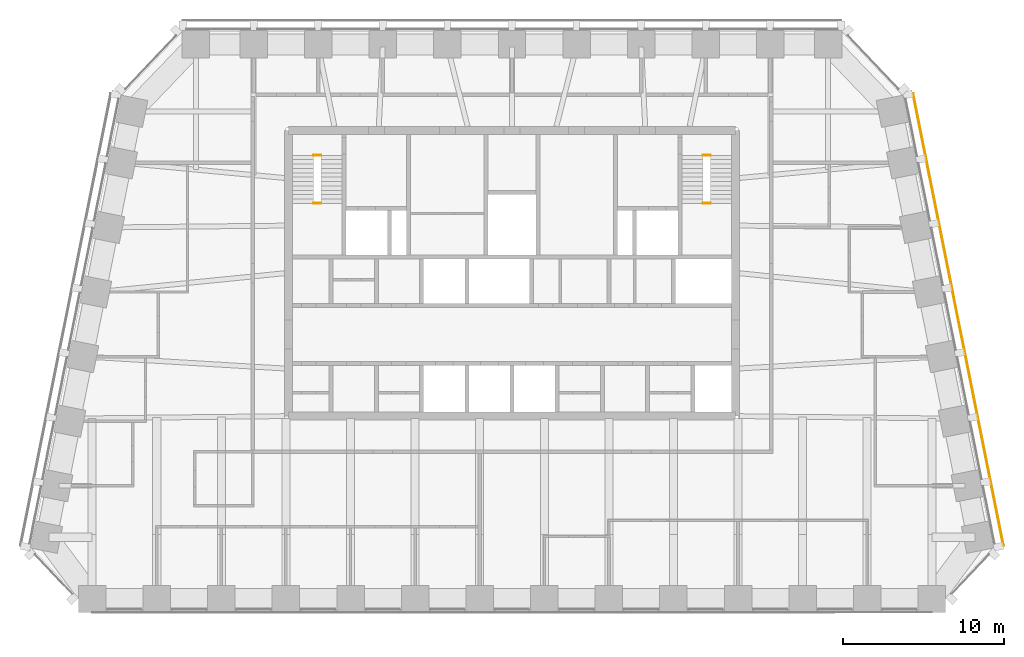
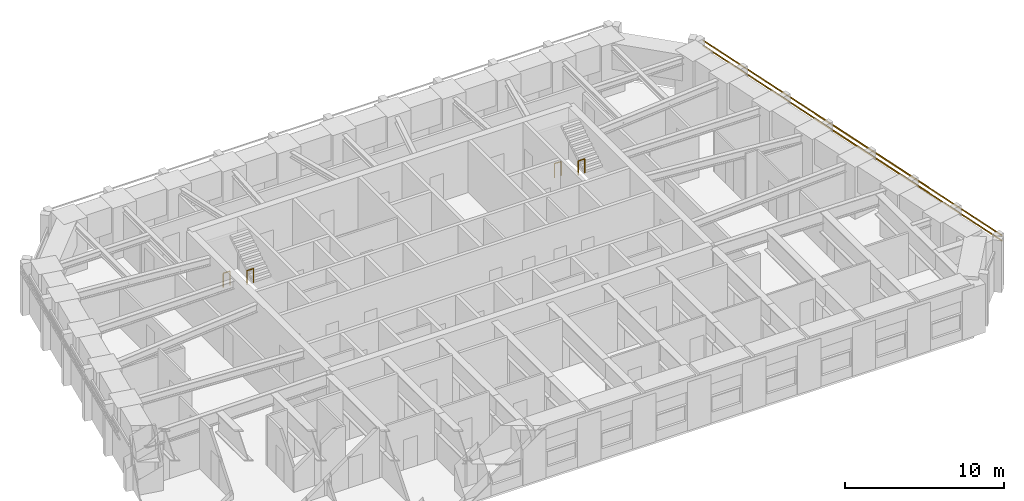
# One storey, part 11 of 12: 4 railings, 2 shading devices.
"""IFC4 building model written with IfcOpenShell, lengths in metres."""

from ifc_helpers import new_model, si_unit, direction, frame, origin, origin_2d, place, context, subcontext, project, spatial, rectangle, circle, extrude, material, material_profile, profile_set, type_object, element, save


model = new_model("IFC4")

# Units and contexts
model_context = context("Model", 3, precision=1e-05, world=origin(), true_north=direction((0.0, 1.0)))
body_context = subcontext(model_context, "Body", "Model", "MODEL_VIEW")
ifc_project = project(units=[si_unit("LENGTHUNIT", "METRE"), si_unit("AREAUNIT", "SQUARE_METRE"), si_unit("VOLUMEUNIT", "CUBIC_METRE"), si_unit("PLANEANGLEUNIT", "RADIAN"), si_unit("MASSUNIT", "GRAM", prefix="KILO")], contexts=[model_context])

# Site, building, storey
site_placement = place(None, origin())
site = spatial("IfcSite", under=ifc_project, at=site_placement, CompositionType="ELEMENT")
building_placement = place(site_placement, origin())
building = spatial("IfcBuilding", under=site, at=building_placement, Name="Isbrekke Arena Tower", CompositionType="ELEMENT")
storey_placement = place(building_placement, frame((0.0, 0.0, 292.0)))
storey = spatial("IfcBuildingStorey", under=building, at=storey_placement, Name="L68", CompositionType="ELEMENT", Elevation=292.0)

# Shading devices
ifc_material_1 = material(Name="Terracotta", Category="masonry")
ifc_material_profile = material_profile(ifc_material_1, rectangle(XDim=0.06005859375, YDim=0.06005859375, at=origin_2d()), Name="BAGUETTE 60X60")
ifc_profile_set = profile_set([ifc_material_profile], Name="Terracotta")
shading_device_type = type_object("IfcShadingDeviceType", Name="BG1 TERRACOTTA BAGUETTE 60 x 60", PredefinedType="USERDEFINED", material=ifc_profile_set)
for number, where, z_axis, x_axis, name in (
    (1, (30.4423828125, -1.87158203125, 3.280029296875), (-0.196119423591, 0.980580017995, 0.0), (-0.980580017995, -0.196119423591, 0.0), "BG1 terracotta baguette E1 L68"),
    (2, (30.4423828125, -1.87158203125, 3.679931640625), (-0.196119423591, 0.980580017995, 0.0), (-0.980580017995, -0.196119423591, 0.0), "BG1 terracotta baguette E2 L68"),
):
    element("IfcShadingDevice", number, at=place(storey_placement, frame(where, z_axis=z_axis, x_axis=x_axis)), inside=storey, type_object=shading_device_type, Name=name, ObjectType="TERRACOTTA BAGUETTE", PredefinedType="USERDEFINED", context=body_context, shape_type="SweptSolid", body=[
        extrude(rectangle(XDim=0.06005859375, YDim=0.06005859375, at=origin_2d()), origin(), (0.0, 0.0, 1.0), 28.554443359375),
    ])

# Railings
ifc_material_2 = material(Name="Steel stair guard, vertical bars, steel handrail", Category="steel")
railing_type = type_object("IfcRailingType", Name="GR3 STAIR WELL GUARD 1100", PredefinedType="GUARDRAIL", material=ifc_material_2)
for number, where, name in (
    (3, (-12.300048828125, 22.300048828125, 0.0), "GR3 stair well guard ST1 L68"),
    (4, (-12.300048828125, 19.330078125, 2.0), "GR3 stair well guard ST1 L68"),
    (5, (11.824951171875, 22.300048828125, 0.0), "GR3 stair well guard ST2 L68"),
    (6, (11.824951171875, 19.330078125, 2.0), "GR3 stair well guard ST2 L68"),
):
    element("IfcRailing", number, at=place(storey_placement, frame(where)), inside=storey, type_object=railing_type, Name=name, PredefinedType="GUARDRAIL", context=body_context, shape_type="SweptSolid", body=[
        extrude(circle(Radius=0.02392578125, at=origin_2d()), frame((0.0, 0.0, 1.076171875), z_axis=(1.0, 0.0, 0.0), x_axis=(0.0, 1.0, 0.0)), (0.0, 0.0, 1.0), 0.47509765625),
        extrude(circle(Radius=0.02099609375, at=origin_2d()), origin(), (0.0, 0.0, 1.0), 1.052001953125),
        extrude(circle(Radius=0.02099609375, at=origin_2d()), frame((0.47509765625, 0.0, 0.0)), (0.0, 0.0, 1.0), 1.052001953125),
    ])

save(model, "model.ifc")
